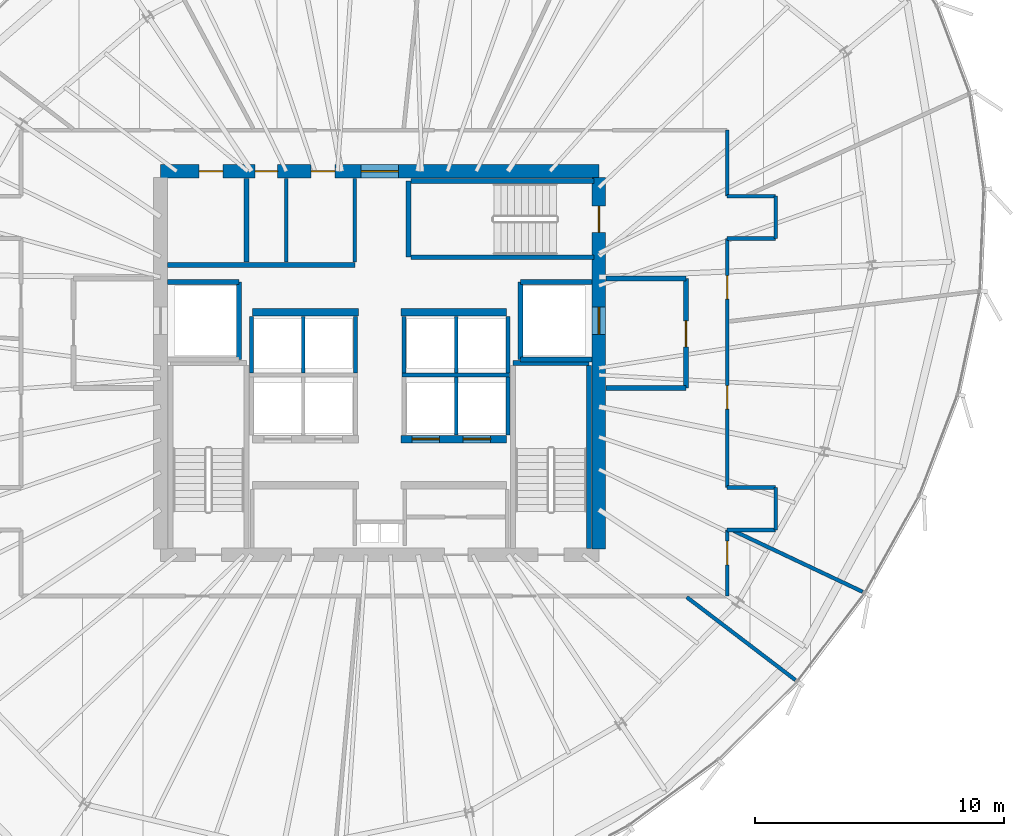
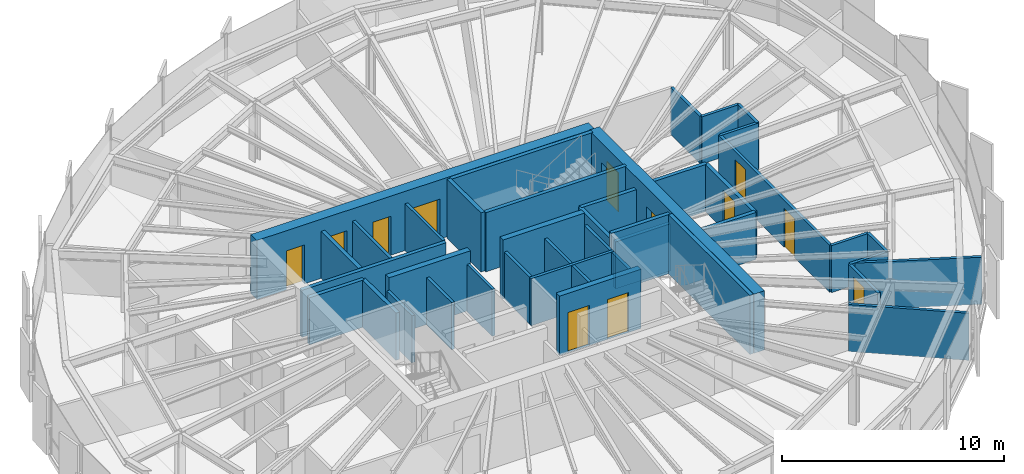
# One storey, part 32 of 36: 42 walls, 12 doors, 12 openings.
"""IFC4 building model written with IfcOpenShell, lengths in metres."""

from ifc_helpers import new_model, si_unit, direction, frame, frame_2d, origin, place, context, subcontext, project, spatial, rectangle, extrude, source, transform, mapped, material, layer, layer_set, type_object, element, fill, save


model = new_model("IFC4")

# Units and contexts
model_context = context("Model", 3, precision=1e-05, world=origin(), true_north=direction((0.0, 1.0)))
body_context = subcontext(model_context, "Body", "Model", "MODEL_VIEW")
ifc_project = project(units=[si_unit("LENGTHUNIT", "METRE"), si_unit("AREAUNIT", "SQUARE_METRE"), si_unit("VOLUMEUNIT", "CUBIC_METRE"), si_unit("PLANEANGLEUNIT", "RADIAN"), si_unit("MASSUNIT", "GRAM", prefix="KILO"), si_unit("THERMODYNAMICTEMPERATUREUNIT", "KELVIN")], contexts=[model_context])

# Site, building, storey
site_placement = place(None, origin())
site = spatial("IfcSite", under=ifc_project, at=site_placement, CompositionType="ELEMENT")
building_placement = place(site_placement, origin())
building = spatial("IfcBuilding", under=site, at=building_placement, Name="Kethvar Cultural Tower", CompositionType="ELEMENT")
storey_placement = place(building_placement, frame((0.0, 0.0, 197.39990234375)))
storey = spatial("IfcBuildingStorey", under=building, at=storey_placement, Name="L51", CompositionType="ELEMENT", Elevation=197.39990234375)

# Wall, openings, doors
ifc_material_1 = material(Name="Concrete C60/75", Category="concrete")
ifc_layer_1 = layer(ifc_material_1, 0.550048828125, Name="Concrete C60/75", Category="concrete")
ifc_layer_set_1 = layer_set([ifc_layer_1], Name="Concrete C60/75 (550 mm)")
wall_type_1 = type_object("IfcWallType", Name="WL-CORE-550", PredefinedType="SHEAR", material=ifc_layer_set_1)
wall_1_placement = place(storey_placement, frame((55.60009765625, 35.5, 0.0), z_axis=(0.0, 0.0, 1.0), x_axis=(-1.0, 0.0, 0.0)))
wall_1 = element("IfcWall", 1, at=wall_1_placement, inside=storey, type_object=wall_type_1, Name="L51 Core Shear Wall N", PredefinedType="SHEAR", context=body_context, shape_type="SweptSolid", body=[
    extrude(rectangle(XDim=17.60009765625, YDim=0.550048828125, at=frame_2d((8.800048828125, 0.0))), origin(), (0.0, 0.0, 1.0), 3.260009765625),
])
opening_1_placement = place(wall_1_placement, frame((8.050048828125, 0.0, 0.0)))
opening_1 = element("IfcOpeningElement", 2, at=opening_1_placement, cuts=wall_1, Name="Opening D-L51-LN", PredefinedType="OPENING", context=body_context, shape_type="SweptSolid", body=[
    extrude(rectangle(XDim=1.5, YDim=2.199951171875, at=frame_2d((0.75, 1.10009765625))), frame((0.0, 0.284912109375, 0.0), z_axis=(0.0, -1.0, 0.0), x_axis=(1.0, 0.0, 0.0)), (0.0, 0.0, 1.0), 0.570068359375),
])
opening_2_placement = place(wall_1_placement, frame((15.10009765625, 0.0, 0.0)))
opening_2 = element("IfcOpeningElement", 3, at=opening_2_placement, cuts=wall_1, Name="Opening D-L51-E1", PredefinedType="OPENING", context=body_context, shape_type="SweptSolid", body=[
    extrude(rectangle(XDim=0.949951171875, YDim=2.14990234375, at=frame_2d((0.47509765625, 1.074951171875))), frame((0.0, 0.284912109375, 0.0), z_axis=(0.0, -1.0, 0.0), x_axis=(1.0, 0.0, 0.0)), (0.0, 0.0, 1.0), 0.570068359375),
])
opening_3_placement = place(wall_1_placement, frame((12.89990234375, 0.0, 0.0)))
opening_3 = element("IfcOpeningElement", 4, at=opening_3_placement, cuts=wall_1, Name="Opening D-L51-W1", PredefinedType="OPENING", context=body_context, shape_type="SweptSolid", body=[
    extrude(rectangle(XDim=0.89990234375, YDim=2.14990234375, at=frame_2d((0.449951171875, 1.074951171875))), frame((0.0, 0.284912109375, 0.0), z_axis=(0.0, -1.0, 0.0), x_axis=(1.0, 0.0, 0.0)), (0.0, 0.0, 1.0), 0.570068359375),
])
opening_4_placement = place(wall_1_placement, frame((10.60009765625, 0.0, 0.0)))
opening_4 = element("IfcOpeningElement", 5, at=opening_4_placement, cuts=wall_1, Name="Opening D-L51-W2", PredefinedType="OPENING", context=body_context, shape_type="SweptSolid", body=[
    extrude(rectangle(XDim=0.949951171875, YDim=2.14990234375, at=frame_2d((0.47509765625, 1.074951171875))), frame((0.0, 0.284912109375, 0.0), z_axis=(0.0, -1.0, 0.0), x_axis=(1.0, 0.0, 0.0)), (0.0, 0.0, 1.0), 0.570068359375),
])
ifc_material_2 = material(Name="Architectural Oak Timber", Category="wood")
door_type_1 = type_object("IfcDoorType", Name="DR-DBL-FD60-1500", OperationType="DOUBLE_DOOR_SINGLE_SWING", PredefinedType="DOOR", material=ifc_material_2)
shared_shape_1 = source(origin(), body_context, "Body", "SweptSolid", [
    extrude(rectangle(XDim=1.5, YDim=2.199951171875, at=frame_2d((0.75, 1.10009765625))), frame((0.0, 0.02490234375, 0.0), z_axis=(0.0, -1.0, 0.0), x_axis=(1.0, 0.0, 0.0)), (0.0, 0.0, 1.0), 0.050048828125),
])
door_1_placement = place(opening_1_placement, origin())
door_1 = element("IfcDoor", 6, at=door_1_placement, inside=storey, type_object=door_type_1, Name="L51 Lift Lobby Concourse Door", OperationType="DOUBLE_DOOR_SINGLE_SWING", OverallHeight=2.199951171875, OverallWidth=1.5, PredefinedType="DOOR", context=body_context, shape_type="MappedRepresentation", body=[
    mapped(shared_shape_1, transform((0.0, 0.0, 0.0), scale=1.0)),
])
fill(opening_1, door_1)
door_type_2 = type_object("IfcDoorType", Name="DR-FD30-950", OperationType="NOTDEFINED", PredefinedType="DOOR", material=ifc_material_2)
shared_shape_2 = source(origin(), body_context, "Body", "SweptSolid", [
    extrude(rectangle(XDim=0.949951171875, YDim=2.14990234375, at=frame_2d((0.47509765625, 1.074951171875))), frame((0.0, 0.02490234375, 0.0), z_axis=(0.0, -1.0, 0.0), x_axis=(1.0, 0.0, 0.0)), (0.0, 0.0, 1.0), 0.050048828125),
])
door_2_placement = place(opening_2_placement, origin())
door_2 = element("IfcDoor", 7, at=door_2_placement, inside=storey, type_object=door_type_2, Name="L51 Electrical Switchgear Door", OperationType="SINGLE_SWING_RIGHT", OverallHeight=2.14990234375, OverallWidth=0.949951171875, PredefinedType="DOOR", context=body_context, shape_type="MappedRepresentation", body=[
    mapped(shared_shape_2, transform((0.0, 0.0, 0.0), scale=1.0)),
])
fill(opening_2, door_2)
door_3_placement = place(opening_4_placement, origin())
door_3 = element("IfcDoor", 8, at=door_3_placement, inside=storey, type_object=door_type_2, Name="L51 Public Washroom Door", OperationType="SINGLE_SWING_RIGHT", OverallHeight=2.14990234375, OverallWidth=0.949951171875, PredefinedType="DOOR", context=body_context, shape_type="MappedRepresentation", body=[
    mapped(shared_shape_2, transform((0.0, 0.0, 0.0), scale=1.0)),
])
fill(opening_4, door_3)
door_type_3 = type_object("IfcDoorType", Name="DR-FD30-900", OperationType="NOTDEFINED", PredefinedType="DOOR", material=ifc_material_2)
shared_shape_3 = source(origin(), body_context, "Body", "SweptSolid", [
    extrude(rectangle(XDim=0.89990234375, YDim=2.14990234375, at=frame_2d((0.449951171875, 1.074951171875))), frame((0.0, 0.02490234375, 0.0), z_axis=(0.0, -1.0, 0.0), x_axis=(1.0, 0.0, 0.0)), (0.0, 0.0, 1.0), 0.050048828125),
])
door_4_placement = place(opening_3_placement, origin())
door_4 = element("IfcDoor", 9, at=door_4_placement, inside=storey, type_object=door_type_3, Name="L51 Accessible Washroom Door", OperationType="SINGLE_SWING_LEFT", OverallHeight=2.14990234375, OverallWidth=0.89990234375, PredefinedType="DOOR", context=body_context, shape_type="MappedRepresentation", body=[
    mapped(shared_shape_3, transform((0.0, 0.0, 0.0), scale=1.0)),
])
fill(opening_3, door_4)

wall_2_placement = place(storey_placement, frame((55.60009765625, 20.340087890625, 0.0), z_axis=(0.0, 0.0, 1.0), x_axis=(0.0, 1.0, 0.0)))
wall_2 = element("IfcWall", 10, at=wall_2_placement, inside=storey, type_object=wall_type_1, Name="L51 Core Shear Wall E", PredefinedType="SHEAR", context=body_context, shape_type="SweptSolid", body=[
    extrude(rectangle(XDim=14.919921875, YDim=0.550048828125, at=frame_2d((7.4599609375, 0.0))), origin(), (0.0, 0.0, 1.0), 3.260009765625),
])
opening_5_placement = place(wall_2_placement, frame((12.7099609375, 0.0, 0.0)))
opening_5 = element("IfcOpeningElement", 11, at=opening_5_placement, cuts=wall_2, Name="Opening D-L51-S3", PredefinedType="OPENING", context=body_context, shape_type="SweptSolid", body=[
    extrude(rectangle(XDim=1.050048828125, YDim=2.14990234375, at=frame_2d((0.52490234375, 1.074951171875))), frame((0.0, 0.284912109375, 0.0), z_axis=(0.0, -1.0, 0.0), x_axis=(1.0, 0.0, 0.0)), (0.0, 0.0, 1.0), 0.570068359375),
])
opening_6_placement = place(wall_2_placement, frame((8.610107421875, 0.0, 0.0)))
opening_6 = element("IfcOpeningElement", 12, at=opening_6_placement, cuts=wall_2, Name="Opening LD-2", PredefinedType="OPENING", context=body_context, shape_type="SweptSolid", body=[
    extrude(rectangle(XDim=1.10009765625, YDim=2.199951171875, at=frame_2d((0.550048828125, 1.10009765625))), frame((0.0, 0.284912109375, 0.0), z_axis=(0.0, -1.0, 0.0), x_axis=(1.0, 0.0, 0.0)), (0.0, 0.0, 1.0), 0.570068359375),
])
ifc_material_3 = material(Name="Steel S355J2", Category="steel")
door_type_4 = type_object("IfcDoorType", Name="DR-FD60-1050", OperationType="NOTDEFINED", PredefinedType="DOOR", material=ifc_material_3)
shared_shape_4 = source(origin(), body_context, "Body", "SweptSolid", [
    extrude(rectangle(XDim=1.050048828125, YDim=2.14990234375, at=frame_2d((0.52490234375, 1.074951171875))), frame((0.0, 0.02490234375, 0.0), z_axis=(0.0, -1.0, 0.0), x_axis=(1.0, 0.0, 0.0)), (0.0, 0.0, 1.0), 0.050048828125),
])
door_5_placement = place(opening_5_placement, origin())
door_5 = element("IfcDoor", 13, at=door_5_placement, inside=storey, type_object=door_type_4, Name="L51 Exit Stair 3 Door", OperationType="SINGLE_SWING_LEFT", OverallHeight=2.14990234375, OverallWidth=1.050048828125, PredefinedType="DOOR", context=body_context, shape_type="MappedRepresentation", body=[
    mapped(shared_shape_4, transform((0.0, 0.0, 0.0), scale=1.0)),
])
fill(opening_5, door_5)
door_type_5 = type_object("IfcDoorType", Name="DR-LIFT-SLIDE-1100", OperationType="NOTDEFINED", PredefinedType="DOOR", material=ifc_material_3)
shared_shape_5 = source(origin(), body_context, "Body", "SweptSolid", [
    extrude(rectangle(XDim=1.10009765625, YDim=2.199951171875, at=frame_2d((0.550048828125, 1.10009765625))), frame((0.0, 0.02490234375, 0.0), z_axis=(0.0, -1.0, 0.0), x_axis=(1.0, 0.0, 0.0)), (0.0, 0.0, 1.0), 0.050048828125),
])
door_6_placement = place(opening_6_placement, origin())
door_6 = element("IfcDoor", 14, at=door_6_placement, inside=storey, type_object=door_type_5, Name="L51 Firefighting Lift Landing Door FFL-02", OperationType="SLIDING_TO_RIGHT", OverallHeight=2.199951171875, OverallWidth=1.10009765625, PredefinedType="DOOR", context=body_context, shape_type="MappedRepresentation", body=[
    mapped(shared_shape_5, transform((0.0, 0.0, 0.0), scale=1.0)),
])
fill(opening_6, door_6)

# Walls
ifc_material_4 = material(Name="Gypsum Fireboard Partition")
ifc_layer_2 = layer(ifc_material_4, 0.14990234375, Name="Gypsum Fireboard Partition")
ifc_layer_set_2 = layer_set([ifc_layer_2], Name="Gypsum Fireboard Partition (150 mm)")
wall_type_2 = type_object("IfcWallType", Name="WL-FIRE-150", PredefinedType="PARTITIONING", material=ifc_layer_set_2)
wall_3_placement = place(storey_placement, frame((47.699951171875, 27.324951171875, 0.0), z_axis=(0.0, 0.0, 1.0), x_axis=(1.0, 0.0, 0.0)))
element("IfcWall", 15, at=wall_3_placement, inside=storey, type_object=wall_type_2, Name="L51 Mid-High Lift Shaft Back Wall E", PredefinedType="PARTITIONING", context=body_context, shape_type="SweptSolid", body=[
    extrude(rectangle(XDim=4.320068359375, YDim=0.14990234375, at=frame_2d((2.16015625, 0.0))), origin(), (0.0, 0.0, 1.0), 2.59521484375),
])
for number, where, z_axis, x_axis, name in (
    (16, (49.875, 24.919921875, 0.0), (0.0, 0.0, 1.0), (0.0, 1.0, 0.0), "L51 Mid-Rise Lift Shaft Divider E"),
    (17, (51.949951171875, 24.919921875, 0.0), (0.0, 0.0, 1.0), (0.0, 1.0, 0.0), "L51 Mid-Rise Lift Shaft Outer Wall E"),
):
    element("IfcWall", number, at=place(storey_placement, frame(where, z_axis=z_axis, x_axis=x_axis)), inside=storey, type_object=wall_type_2, Name=name, PredefinedType="PARTITIONING", context=body_context, shape_type="SweptSolid", body=[
        extrude(rectangle(XDim=2.320068359375, YDim=0.14990234375, at=frame_2d((1.16015625, 0.0))), origin(), (0.0, 0.0, 1.0), 2.59521484375),
    ])
for number, where, z_axis, x_axis, name in (
    (18, (41.64990234375, 27.409912109375, 0.0), (0.0, 0.0, 1.0), (0.0, 1.0, 0.0), "L51 High-Rise Lift Shaft Outer Wall W"),
    (19, (43.72509765625, 27.409912109375, 0.0), (0.0, 0.0, 1.0), (0.0, 1.0, 0.0), "L51 High-Rise Lift Shaft Divider W"),
    (20, (45.824951171875, 27.409912109375, 0.0), (0.0, 0.0, 1.0), (0.0, 1.0, 0.0), "L51 High-Rise Lift Shaft Concourse Wall W"),
    (21, (47.77490234375, 27.409912109375, 0.0), (0.0, 0.0, 1.0), (0.0, 1.0, 0.0), "L51 High-Rise Lift Shaft Concourse Wall E"),
    (22, (49.875, 27.409912109375, 0.0), (0.0, 0.0, 1.0), (0.0, 1.0, 0.0), "L51 High-Rise Lift Shaft Divider E"),
    (23, (51.949951171875, 27.409912109375, 0.0), (0.0, 0.0, 1.0), (0.0, 1.0, 0.0), "L51 High-Rise Lift Shaft Outer Wall E"),
):
    element("IfcWall", number, at=place(storey_placement, frame(where, z_axis=z_axis, x_axis=x_axis)), inside=storey, type_object=wall_type_2, Name=name, PredefinedType="PARTITIONING", context=body_context, shape_type="SweptSolid", body=[
        extrude(rectangle(XDim=2.27001953125, YDim=0.14990234375, at=frame_2d((1.135009765625, 0.0))), origin(), (0.0, 0.0, 1.0), 2.59521484375),
    ])
wall_4_placement = place(storey_placement, frame((45.800048828125, 31.85009765625, 0.0), z_axis=(0.0, 0.0, 1.0), x_axis=(0.0, 1.0, 0.0)))
element("IfcWall", 24, at=wall_4_placement, inside=storey, type_object=wall_type_2, Name="L51 Sanitary Spine Wall", PredefinedType="PARTITIONING", context=body_context, shape_type="SweptSolid", body=[
    extrude(rectangle(XDim=3.364990234375, YDim=0.14990234375, at=frame_2d((1.6826171875, 0.0))), origin(), (0.0, 0.0, 1.0), 2.59521484375),
])

# Wall, opening, door
wall_5_placement = place(storey_placement, frame((60.75, 18.449951171875, 0.0), z_axis=(0.0, 0.0, 1.0), x_axis=(0.0, 1.0, 0.0)))
wall_5 = element("IfcWall", 25, at=wall_5_placement, inside=storey, type_object=wall_type_2, Name="L51 Corridor Rated Wall E1", PredefinedType="PARTITIONING", context=body_context, shape_type="SweptSolid", body=[
    extrude(rectangle(XDim=2.650146484375, YDim=0.14990234375, at=frame_2d((1.3251953125, 0.0))), origin(), (0.0, 0.0, 1.0), 2.59521484375),
])
opening_7_placement = place(wall_5_placement, frame((1.25, 0.0, 0.0)))
opening_7 = element("IfcOpeningElement", 26, at=opening_7_placement, cuts=wall_5, Name="Opening D-L51-03", PredefinedType="OPENING", context=body_context, shape_type="SweptSolid", body=[
    extrude(rectangle(XDim=0.949951171875, YDim=2.14990234375, at=frame_2d((0.47509765625, 1.074951171875))), frame((0.0, 0.0849609375, 0.0), z_axis=(0.0, -1.0, 0.0), x_axis=(1.0, 0.0, 0.0)), (0.0, 0.0, 1.0), 0.169921875),
])
door_7_placement = place(opening_7_placement, origin())
door_7 = element("IfcDoor", 27, at=door_7_placement, inside=storey, type_object=door_type_2, Name="L51 Artifact Conservation Storage 03 Door", OperationType="SINGLE_SWING_RIGHT", OverallHeight=2.14990234375, OverallWidth=0.949951171875, PredefinedType="DOOR", context=body_context, shape_type="MappedRepresentation", body=[
    mapped(shared_shape_2, transform((0.0, 0.0, 0.0), scale=1.0)),
])
fill(opening_7, door_7)

# Walls
wall_6_placement = place(storey_placement, frame((60.75, 21.10009765625, 0.0), z_axis=(0.0, 0.0, 1.0), x_axis=(1.0, 0.0, 0.0)))
element("IfcWall", 28, at=wall_6_placement, inside=storey, type_object=wall_type_2, Name="L51 Corridor Rated Wall ESB", PredefinedType="PARTITIONING", context=body_context, shape_type="SweptSolid", body=[
    extrude(rectangle(XDim=1.949951171875, YDim=0.14990234375, at=frame_2d((0.97509765625, 0.0))), origin(), (0.0, 0.0, 1.0), 2.59521484375),
])
wall_7_placement = place(storey_placement, frame((62.699951171875, 21.10009765625, 0.0), z_axis=(0.0, 0.0, 1.0), x_axis=(0.0, 1.0, 0.0)))
element("IfcWall", 29, at=wall_7_placement, inside=storey, type_object=wall_type_2, Name="L51 Corridor Rated Wall ES", PredefinedType="PARTITIONING", context=body_context, shape_type="SweptSolid", body=[
    extrude(rectangle(XDim=1.699951171875, YDim=0.14990234375, at=frame_2d((0.85009765625, 0.0))), origin(), (0.0, 0.0, 1.0), 2.59521484375),
])
wall_8_placement = place(storey_placement, frame((62.699951171875, 22.800048828125, 0.0), z_axis=(0.0, 0.0, 1.0), x_axis=(-1.0, 0.0, 0.0)))
element("IfcWall", 30, at=wall_8_placement, inside=storey, type_object=wall_type_2, Name="L51 Corridor Rated Wall EST", PredefinedType="PARTITIONING", context=body_context, shape_type="SweptSolid", body=[
    extrude(rectangle(XDim=1.949951171875, YDim=0.14990234375, at=frame_2d((0.97509765625, 0.0))), origin(), (0.0, 0.0, 1.0), 2.59521484375),
])

# Wall, openings, doors
wall_9_placement = place(storey_placement, frame((60.75, 22.800048828125, 0.0), z_axis=(0.0, 0.0, 1.0), x_axis=(0.0, 1.0, 0.0)))
wall_9 = element("IfcWall", 31, at=wall_9_placement, inside=storey, type_object=wall_type_2, Name="L51 Corridor Rated Wall EM", PredefinedType="PARTITIONING", context=body_context, shape_type="SweptSolid", body=[
    extrude(rectangle(XDim=10.0, YDim=0.14990234375, at=frame_2d((5.0, 0.0))), origin(), (0.0, 0.0, 1.0), 2.59521484375),
])
opening_8_placement = place(wall_9_placement, frame((3.1474609375, 0.0, 0.0)))
opening_8 = element("IfcOpeningElement", 32, at=opening_8_placement, cuts=wall_9, Name="Opening D-L51-04", PredefinedType="OPENING", context=body_context, shape_type="SweptSolid", body=[
    extrude(rectangle(XDim=0.949951171875, YDim=2.14990234375, at=frame_2d((0.47509765625, 1.074951171875))), frame((0.0, 0.0849609375, 0.0), z_axis=(0.0, -1.0, 0.0), x_axis=(1.0, 0.0, 0.0)), (0.0, 0.0, 1.0), 0.169921875),
])
opening_9_placement = place(wall_9_placement, frame((7.566650390625, 0.0, 0.0)))
opening_9 = element("IfcOpeningElement", 33, at=opening_9_placement, cuts=wall_9, Name="Opening D-L51-05", PredefinedType="OPENING", context=body_context, shape_type="SweptSolid", body=[
    extrude(rectangle(XDim=0.949951171875, YDim=2.14990234375, at=frame_2d((0.47509765625, 1.074951171875))), frame((0.0, 0.0849609375, 0.0), z_axis=(0.0, -1.0, 0.0), x_axis=(1.0, 0.0, 0.0)), (0.0, 0.0, 1.0), 0.169921875),
])
door_8_placement = place(opening_8_placement, origin())
door_8 = element("IfcDoor", 34, at=door_8_placement, inside=storey, type_object=door_type_2, Name="L51 Records Closet 04 Door", OperationType="SINGLE_SWING_LEFT", OverallHeight=2.14990234375, OverallWidth=0.949951171875, PredefinedType="DOOR", context=body_context, shape_type="MappedRepresentation", body=[
    mapped(shared_shape_2, transform((0.0, 0.0, 0.0), scale=1.0)),
])
fill(opening_8, door_8)
door_9_placement = place(opening_9_placement, origin())
door_9 = element("IfcDoor", 35, at=door_9_placement, inside=storey, type_object=door_type_2, Name="L51 Colloquium Seminar Room 05 Door", OperationType="SINGLE_SWING_RIGHT", OverallHeight=2.14990234375, OverallWidth=0.949951171875, PredefinedType="DOOR", context=body_context, shape_type="MappedRepresentation", body=[
    mapped(shared_shape_2, transform((0.0, 0.0, 0.0), scale=1.0)),
])
fill(opening_9, door_9)

# Walls
wall_10_placement = place(storey_placement, frame((60.75, 32.800048828125, 0.0), z_axis=(0.0, 0.0, 1.0), x_axis=(1.0, 0.0, 0.0)))
element("IfcWall", 36, at=wall_10_placement, inside=storey, type_object=wall_type_2, Name="L51 Corridor Rated Wall ENB", PredefinedType="PARTITIONING", context=body_context, shape_type="SweptSolid", body=[
    extrude(rectangle(XDim=1.949951171875, YDim=0.14990234375, at=frame_2d((0.97509765625, 0.0))), origin(), (0.0, 0.0, 1.0), 2.59521484375),
])
wall_11_placement = place(storey_placement, frame((62.699951171875, 32.800048828125, 0.0), z_axis=(0.0, 0.0, 1.0), x_axis=(0.0, 1.0, 0.0)))
element("IfcWall", 37, at=wall_11_placement, inside=storey, type_object=wall_type_2, Name="L51 Corridor Rated Wall EN", PredefinedType="PARTITIONING", context=body_context, shape_type="SweptSolid", body=[
    extrude(rectangle(XDim=1.699951171875, YDim=0.14990234375, at=frame_2d((0.85009765625, 0.0))), origin(), (0.0, 0.0, 1.0), 2.59521484375),
])
wall_12_placement = place(storey_placement, frame((62.699951171875, 34.5, 0.0), z_axis=(0.0, 0.0, 1.0), x_axis=(-1.0, 0.0, 0.0)))
element("IfcWall", 38, at=wall_12_placement, inside=storey, type_object=wall_type_2, Name="L51 Corridor Rated Wall ENT", PredefinedType="PARTITIONING", context=body_context, shape_type="SweptSolid", body=[
    extrude(rectangle(XDim=1.949951171875, YDim=0.14990234375, at=frame_2d((0.97509765625, 0.0))), origin(), (0.0, 0.0, 1.0), 2.59521484375),
])
wall_13_placement = place(storey_placement, frame((60.75, 34.5, 0.0), z_axis=(0.0, 0.0, 1.0), x_axis=(0.0, 1.0, 0.0)))
element("IfcWall", 39, at=wall_13_placement, inside=storey, type_object=wall_type_2, Name="L51 Corridor Rated Wall E2", PredefinedType="PARTITIONING", context=body_context, shape_type="SweptSolid", body=[
    extrude(rectangle(XDim=2.64990234375, YDim=0.14990234375, at=frame_2d((1.324951171875, 0.0))), origin(), (0.0, 0.0, 1.0), 2.59521484375),
])
ifc_material_5 = material(Name="Concrete C40/50", Category="concrete")
ifc_layer_3 = layer(ifc_material_5, 0.199951171875, Name="Concrete C40/50", Category="concrete")
ifc_layer_set_3 = layer_set([ifc_layer_3], Name="Concrete C40/50 (200 mm)")
wall_type_3 = type_object("IfcWallType", Name="WL-FIRE-200", PredefinedType="PARTITIONING", material=ifc_layer_set_3)
wall_14_placement = place(storey_placement, frame((41.14990234375, 27.949951171875, 0.0), z_axis=(0.0, 0.0, 1.0), x_axis=(0.0, 1.0, 0.0)))
element("IfcWall", 40, at=wall_14_placement, inside=storey, type_object=wall_type_3, Name="L51 FFL-01 Shaft Inner Wall", PredefinedType="PARTITIONING", context=body_context, shape_type="SweptSolid", body=[
    extrude(rectangle(XDim=3.10009765625, YDim=0.199951171875, at=frame_2d((1.550048828125, 0.0))), origin(), (0.0, 0.0, 1.0), 2.59521484375),
])
wall_15_placement = place(storey_placement, frame((38.284912109375, 31.050048828125, 0.0), z_axis=(0.0, 0.0, 1.0), x_axis=(1.0, 0.0, 0.0)))
element("IfcWall", 41, at=wall_15_placement, inside=storey, type_object=wall_type_3, Name="L51 FFL-01 Shaft North Wall", PredefinedType="PARTITIONING", context=body_context, shape_type="SweptSolid", body=[
    extrude(rectangle(XDim=2.864990234375, YDim=0.199951171875, at=frame_2d((1.4326171875, 0.0))), origin(), (0.0, 0.0, 1.0), 2.59521484375),
])
wall_16_placement = place(storey_placement, frame((52.449951171875, 27.949951171875, 0.0), z_axis=(0.0, 0.0, 1.0), x_axis=(0.0, 1.0, 0.0)))
element("IfcWall", 42, at=wall_16_placement, inside=storey, type_object=wall_type_3, Name="L51 FFL-02 Shaft Inner Wall", PredefinedType="PARTITIONING", context=body_context, shape_type="SweptSolid", body=[
    extrude(rectangle(XDim=3.10009765625, YDim=0.199951171875, at=frame_2d((1.550048828125, 0.0))), origin(), (0.0, 0.0, 1.0), 2.59521484375),
])
for number, where, z_axis, x_axis, name in (
    (43, (52.449951171875, 27.949951171875, 0.0), (0.0, 0.0, 1.0), (1.0, 0.0, 0.0), "L51 FFL-02 Shaft South Wall"),
    (44, (52.449951171875, 31.050048828125, 0.0), (0.0, 0.0, 1.0), (1.0, 0.0, 0.0), "L51 FFL-02 Shaft North Wall"),
):
    element("IfcWall", number, at=place(storey_placement, frame(where, z_axis=z_axis, x_axis=x_axis)), inside=storey, type_object=wall_type_3, Name=name, PredefinedType="PARTITIONING", context=body_context, shape_type="SweptSolid", body=[
        extrude(rectangle(XDim=2.864990234375, YDim=0.199951171875, at=frame_2d((1.4326171875, 0.0))), origin(), (0.0, 0.0, 1.0), 2.59521484375),
    ])

# Wall, opening, door
wall_17_placement = place(storey_placement, frame((59.10009765625, 26.800048828125, 0.0), z_axis=(0.0, 0.0, 1.0), x_axis=(0.0, 1.0, 0.0)))
wall_17 = element("IfcWall", 45, at=wall_17_placement, inside=storey, type_object=wall_type_3, Name="L51 Firefighting Lobby 2 Wall", PredefinedType="PARTITIONING", context=body_context, shape_type="SweptSolid", body=[
    extrude(rectangle(XDim=4.39990234375, YDim=0.199951171875, at=frame_2d((2.199951171875, 0.0))), origin(), (0.0, 0.0, 1.0), 2.59521484375),
])
opening_10_placement = place(wall_17_placement, frame((1.64990234375, 0.0, 0.0)))
opening_10 = element("IfcOpeningElement", 46, at=opening_10_placement, cuts=wall_17, Name="Opening D-L51-F2", PredefinedType="OPENING", context=body_context, shape_type="SweptSolid", body=[
    extrude(rectangle(XDim=1.050048828125, YDim=2.14990234375, at=frame_2d((0.52490234375, 1.074951171875))), frame((0.0, 0.10986328125, 0.0), z_axis=(0.0, -1.0, 0.0), x_axis=(1.0, 0.0, 0.0)), (0.0, 0.0, 1.0), 0.219970703125),
])
door_10_placement = place(opening_10_placement, origin())
door_10 = element("IfcDoor", 47, at=door_10_placement, inside=storey, type_object=door_type_4, Name="L51 Firefighting Lobby 2 Fire Door", OperationType="SINGLE_SWING_LEFT", OverallHeight=2.14990234375, OverallWidth=1.050048828125, PredefinedType="DOOR", context=body_context, shape_type="MappedRepresentation", body=[
    mapped(shared_shape_4, transform((0.0, 0.0, 0.0), scale=1.0)),
])
fill(opening_10, door_10)

# Walls
for number, where, z_axis, x_axis, name in (
    (48, (55.885009765625, 26.800048828125, 0.0), (0.0, 0.0, 1.0), (1.0, 0.0, 0.0), "L51 FF Lobby 2 South Wall"),
    (49, (55.885009765625, 31.199951171875, 0.0), (0.0, 0.0, 1.0), (1.0, 0.0, 0.0), "L51 FF Lobby 2 North Wall"),
):
    element("IfcWall", number, at=place(storey_placement, frame(where, z_axis=z_axis, x_axis=x_axis)), inside=storey, type_object=wall_type_3, Name=name, PredefinedType="PARTITIONING", context=body_context, shape_type="SweptSolid", body=[
        extrude(rectangle(XDim=3.215087890625, YDim=0.199951171875, at=frame_2d((1.607421875, 0.0))), origin(), (0.0, 0.0, 1.0), 2.59521484375),
    ])
wall_18_placement = place(storey_placement, frame((41.449951171875, 31.85009765625, 0.0), z_axis=(0.0, 0.0, 1.0), x_axis=(0.0, 1.0, 0.0)))
element("IfcWall", 50, at=wall_18_placement, inside=storey, type_object=wall_type_3, Name="L51 NW Core Pocket Wall", PredefinedType="PARTITIONING", context=body_context, shape_type="SweptSolid", body=[
    extrude(rectangle(XDim=3.364990234375, YDim=0.199951171875, at=frame_2d((1.6826171875, 0.0))), origin(), (0.0, 0.0, 1.0), 2.59521484375),
])
wall_19_placement = place(storey_placement, frame((38.284912109375, 31.72998046875, 0.0), z_axis=(0.0, 0.0, 1.0), x_axis=(1.0, 0.0, 0.0)))
element("IfcWall", 51, at=wall_19_placement, inside=storey, type_object=wall_type_3, Name="L51 North Core Sanitary South Wall", PredefinedType="PARTITIONING", context=body_context, shape_type="SweptSolid", body=[
    extrude(rectangle(XDim=7.51513671875, YDim=0.199951171875, at=frame_2d((3.757568359375, 0.0))), origin(), (0.0, 0.0, 1.0), 2.59521484375),
])
ifc_material_6 = material(Name="Gypsum Acoustic Partition")
ifc_layer_4 = layer(ifc_material_6, 0.14990234375, Name="Gypsum Acoustic Partition")
ifc_layer_set_4 = layer_set([ifc_layer_4], Name="Gypsum Acoustic Partition (150 mm)")
wall_type_4 = type_object("IfcWallType", Name="WL-PART-150", PredefinedType="PARTITIONING", material=ifc_layer_set_4)
wall_20_placement = place(storey_placement, frame((59.127685546875, 18.401611328125, 0.0), z_axis=(0.0, 0.0, 1.0), x_axis=(0.795248813588, -0.606283204853, 0.0)))
element("IfcWall", 52, at=wall_20_placement, inside=storey, type_object=wall_type_4, Name="L51 Radial Partition Wall 03", PredefinedType="PARTITIONING", context=body_context, shape_type="SweptSolid", body=[
    extrude(rectangle(XDim=5.48583984375, YDim=0.14990234375, at=frame_2d((2.742919921875, 0.0))), origin(), (0.0, 0.0, 1.0), 2.59521484375),
])
wall_21_placement = place(storey_placement, frame((61.00732421875, 21.06591796875, 0.0), z_axis=(0.0, 0.0, 1.0), x_axis=(0.904144945531, -0.427225838954, 0.0)))
element("IfcWall", 53, at=wall_21_placement, inside=storey, type_object=wall_type_4, Name="L51 Radial Partition Wall 04", PredefinedType="PARTITIONING", context=body_context, shape_type="SweptSolid", body=[
    extrude(rectangle(XDim=5.7333984375, YDim=0.14990234375, at=frame_2d((2.86669921875, 0.0))), origin(), (0.0, 0.0, 1.0), 2.59521484375),
])
ifc_material_7 = material(Name="Moisture-Resistant Sanitary Chase Wall")
ifc_layer_5 = layer(ifc_material_7, 0.14990234375, Name="Moisture-Resistant Sanitary Chase Wall")
ifc_layer_set_5 = layer_set([ifc_layer_5], Name="Moisture-Resistant Sanitary Chase Wall (150 mm)")
wall_type_5 = type_object("IfcWallType", Name="WL-PLUMB-150", PredefinedType="PLUMBINGWALL", material=ifc_layer_set_5)
wall_22_placement = place(storey_placement, frame((43.050048828125, 31.85009765625, 0.0), z_axis=(0.0, 0.0, 1.0), x_axis=(0.0, 1.0, 0.0)))
element("IfcWall", 54, at=wall_22_placement, inside=storey, type_object=wall_type_5, Name="L51 Sanitary Plumbing Wall", PredefinedType="PLUMBINGWALL", context=body_context, shape_type="SweptSolid", body=[
    extrude(rectangle(XDim=3.364990234375, YDim=0.14990234375, at=frame_2d((1.6826171875, 0.0))), origin(), (0.0, 0.0, 1.0), 2.59521484375),
])

# Wall, openings, doors
ifc_material_8 = material(Name="Concrete C50/60", Category="concrete")
ifc_layer_6 = layer(ifc_material_8, 0.300048828125, Name="Concrete C50/60", Category="concrete")
ifc_layer_set_6 = layer_set([ifc_layer_6], Name="Concrete C50/60 (300 mm)")
wall_type_6 = type_object("IfcWallType", Name="WL-SHAFT-300", PredefinedType="SHEAR", material=ifc_layer_set_6)
wall_23_placement = place(storey_placement, frame((47.64990234375, 24.75, 0.0), z_axis=(0.0, 0.0, 1.0), x_axis=(1.0, 0.0, 0.0)))
wall_23 = element("IfcWall", 55, at=wall_23_placement, inside=storey, type_object=wall_type_6, Name="L51 Core Lift Spine Wall MID2E", PredefinedType="SHEAR", context=body_context, shape_type="SweptSolid", body=[
    extrude(rectangle(XDim=4.25, YDim=0.300048828125, at=frame_2d((2.125, 0.0))), origin(), (0.0, 0.0, 1.0), 3.260009765625),
])
opening_11_placement = place(wall_23_placement, frame((0.449951171875, 0.0, 0.0)))
opening_11 = element("IfcOpeningElement", 56, at=opening_11_placement, cuts=wall_23, Name="Opening LD-M3", PredefinedType="OPENING", context=body_context, shape_type="SweptSolid", body=[
    extrude(rectangle(XDim=1.10009765625, YDim=2.199951171875, at=frame_2d((0.550048828125, 1.10009765625))), frame((0.0, 0.159912109375, 0.0), z_axis=(0.0, -1.0, 0.0), x_axis=(1.0, 0.0, 0.0)), (0.0, 0.0, 1.0), 0.320068359375),
])
opening_12_placement = place(wall_23_placement, frame((2.5, 0.0, 0.0)))
opening_12 = element("IfcOpeningElement", 57, at=opening_12_placement, cuts=wall_23, Name="Opening LD-M4", PredefinedType="OPENING", context=body_context, shape_type="SweptSolid", body=[
    extrude(rectangle(XDim=1.10009765625, YDim=2.199951171875, at=frame_2d((0.550048828125, 1.10009765625))), frame((0.0, 0.159912109375, 0.0), z_axis=(0.0, -1.0, 0.0), x_axis=(1.0, 0.0, 0.0)), (0.0, 0.0, 1.0), 0.320068359375),
])
door_11_placement = place(opening_11_placement, origin())
door_11 = element("IfcDoor", 58, at=door_11_placement, inside=storey, type_object=door_type_5, Name="L51 Mid-Rise Lift Landing Door M3", OperationType="SLIDING_TO_RIGHT", OverallHeight=2.199951171875, OverallWidth=1.10009765625, PredefinedType="DOOR", context=body_context, shape_type="MappedRepresentation", body=[
    mapped(shared_shape_5, transform((0.0, 0.0, 0.0), scale=1.0)),
])
fill(opening_11, door_11)
door_12_placement = place(opening_12_placement, origin())
door_12 = element("IfcDoor", 59, at=door_12_placement, inside=storey, type_object=door_type_5, Name="L51 Mid-Rise Lift Landing Door M4", OperationType="SLIDING_TO_RIGHT", OverallHeight=2.199951171875, OverallWidth=1.10009765625, PredefinedType="DOOR", context=body_context, shape_type="MappedRepresentation", body=[
    mapped(shared_shape_5, transform((0.0, 0.0, 0.0), scale=1.0)),
])
fill(opening_12, door_12)

# Walls
for number, where, z_axis, x_axis, name in (
    (60, (41.699951171875, 29.85009765625, 0.0), (0.0, 0.0, 1.0), (1.0, 0.0, 0.0), "L51 Core Lift Spine Wall MID3W"),
    (61, (47.64990234375, 29.85009765625, 0.0), (0.0, 0.0, 1.0), (1.0, 0.0, 0.0), "L51 Core Lift Spine Wall MID3E"),
):
    element("IfcWall", number, at=place(storey_placement, frame(where, z_axis=z_axis, x_axis=x_axis)), inside=storey, type_object=wall_type_6, Name=name, PredefinedType="SHEAR", context=body_context, shape_type="SweptSolid", body=[
        extrude(rectangle(XDim=4.25, YDim=0.300048828125, at=frame_2d((2.125, 0.0))), origin(), (0.0, 0.0, 1.0), 3.260009765625),
    ])
ifc_layer_7 = layer(ifc_material_8, 0.199951171875, Name="Concrete C50/60", Category="concrete")
ifc_layer_set_7 = layer_set([ifc_layer_7], Name="Concrete C50/60 (200 mm)")
wall_type_7 = type_object("IfcWallType", Name="WL-STSHAFT-200", PredefinedType="SHEAR", material=ifc_layer_set_7)
wall_24_placement = place(storey_placement, frame((52.14990234375, 27.800048828125, 0.0), z_axis=(0.0, 0.0, 1.0), x_axis=(1.0, 0.0, 0.0)))
element("IfcWall", 62, at=wall_24_placement, inside=storey, type_object=wall_type_7, Name="L51 ST-02 Stair Shaft Wall FAR", PredefinedType="SHEAR", context=body_context, shape_type="SweptSolid", body=[
    extrude(rectangle(XDim=3.06005859375, YDim=0.199951171875, at=frame_2d((1.530029296875, 0.0))), origin(), (0.0, 0.0, 1.0), 3.260009765625),
])
wall_25_placement = place(storey_placement, frame((55.2099609375, 27.699951171875, 0.0), z_axis=(0.0, 0.0, 1.0), x_axis=(0.0, -1.0, 0.0)))
element("IfcWall", 63, at=wall_25_placement, inside=storey, type_object=wall_type_7, Name="L51 ST-02 Stair Shaft Wall LEFT", PredefinedType="SHEAR", context=body_context, shape_type="SweptSolid", body=[
    extrude(rectangle(XDim=7.349853515625, YDim=0.199951171875, at=frame_2d((3.6748046875, 0.0))), origin(), (0.0, 0.0, 1.0), 3.260009765625),
])
wall_26_placement = place(storey_placement, frame((47.949951171875, 32.050048828125, 0.0), z_axis=(0.0, 0.0, 1.0), x_axis=(0.0, 1.0, 0.0)))
element("IfcWall", 64, at=wall_26_placement, inside=storey, type_object=wall_type_7, Name="L51 ST-03 Stair Shaft Wall FAR", PredefinedType="SHEAR", context=body_context, shape_type="SweptSolid", body=[
    extrude(rectangle(XDim=3.06005859375, YDim=0.199951171875, at=frame_2d((1.530029296875, 0.0))), origin(), (0.0, 0.0, 1.0), 3.260009765625),
])
for number, where, z_axis, x_axis, name in (
    (65, (48.050048828125, 35.110107421875, 0.0), (0.0, 0.0, 1.0), (1.0, 0.0, 0.0), "L51 ST-03 Stair Shaft Wall LEFT"),
    (66, (55.39990234375, 32.050048828125, 0.0), (0.0, 0.0, 1.0), (-1.0, 0.0, 0.0), "L51 ST-03 Stair Shaft Wall RIGHT"),
):
    element("IfcWall", number, at=place(storey_placement, frame(where, z_axis=z_axis, x_axis=x_axis)), inside=storey, type_object=wall_type_7, Name=name, PredefinedType="SHEAR", context=body_context, shape_type="SweptSolid", body=[
        extrude(rectangle(XDim=7.349853515625, YDim=0.199951171875, at=frame_2d((3.6748046875, 0.0))), origin(), (0.0, 0.0, 1.0), 3.260009765625),
    ])

save(model, "model.ifc")
